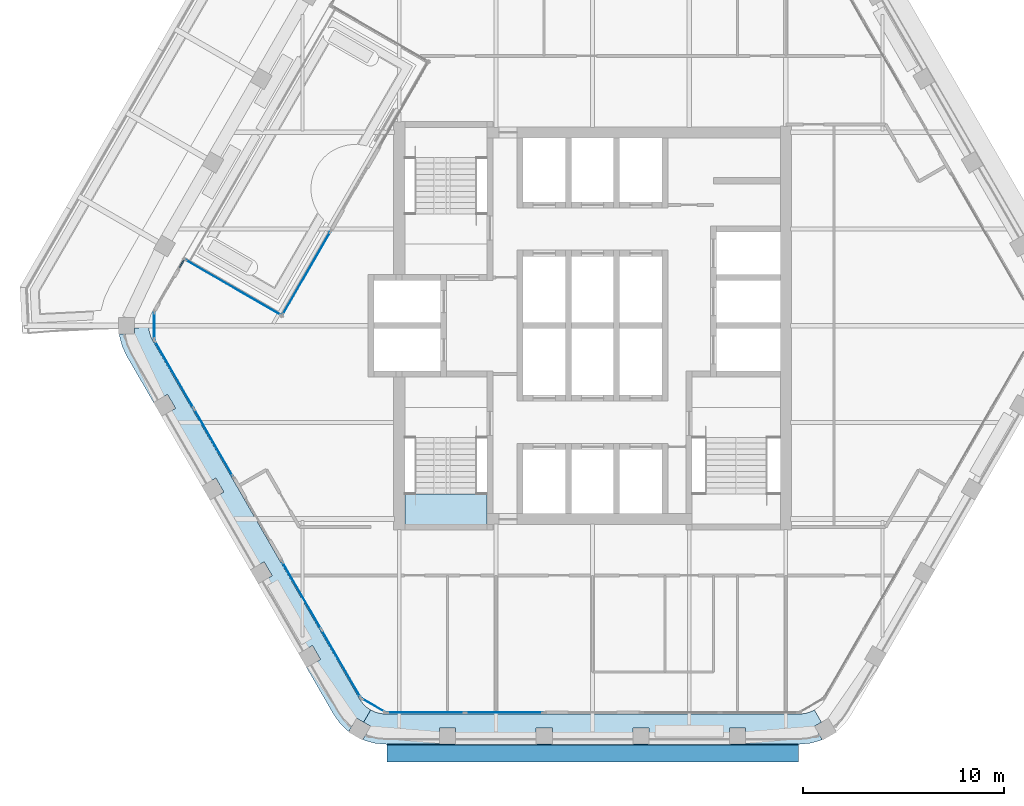
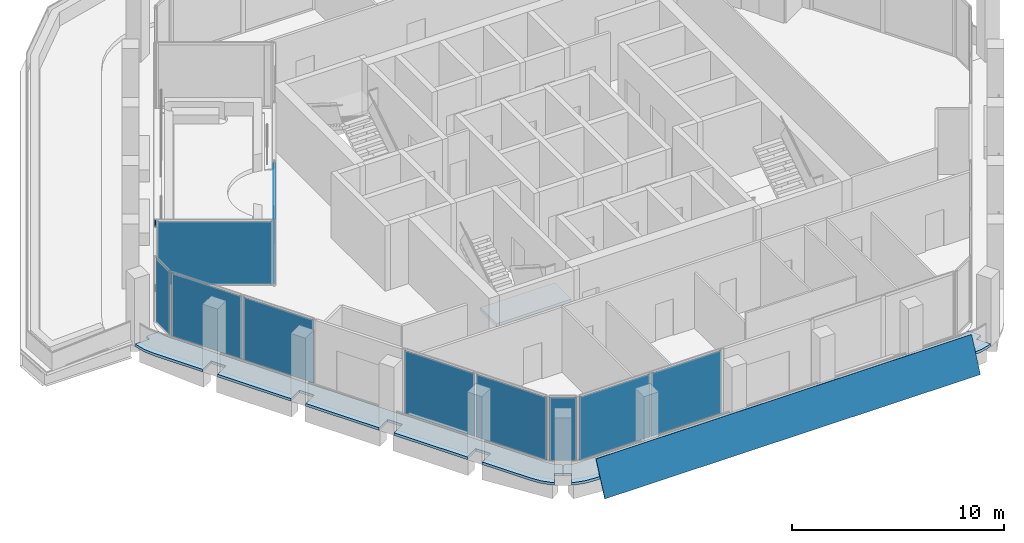
# One storey, part 7 of 16: 11 plates, 3 slabs, 2 members, 9 elements without a shape of their own.
"""IFC4 building model written with IfcOpenShell, lengths in metres."""

import ifcopenshell
import ifcopenshell.guid

model = None  # the IFC model being written
_history = None  # IfcOwnerHistory: only IFC2X3 demands one
_inside = {}  # id of a spatial element -> (the spatial element, [elements in it])
_under = {}  # id of a project, library or spatial element -> (it, [spatial elements below it])
_declared = {}  # id of a project -> (the project, [libraries it declares])
_typed = {}  # id of a type object -> (the type object, [elements of that type])
_made_of = {}  # id of a material, layer set ... -> (it, [elements and type objects made of it])


def new_model(schema):
    """Start an empty IFC model of exactly this schema.

    Asked for "IFC4X3", IfcOpenShell would pick the latest addendum, in which some entities
    have other attributes; the version numbers below select the first issue.
    IFC2X3 requires an IfcOwnerHistory on every rooted entity: one is made here for all.
    """
    global model, _history
    if schema == "IFC4X3":
        model = ifcopenshell.file(schema_version=(4, 3, 0, 0))
    else:
        model = ifcopenshell.file(schema=schema)
    _inside.clear()
    _under.clear()
    _declared.clear()
    _typed.clear()
    _made_of.clear()
    _history = None
    if model.schema == "IFC2X3":
        org = make("IfcOrganization", Name="unknown")
        user = make(
            "IfcPersonAndOrganization",
            ThePerson=make("IfcPerson", FamilyName="unknown"),
            TheOrganization=org,
        )
        app = make(
            "IfcApplication",
            ApplicationDeveloper=org,
            Version="unknown",
            ApplicationFullName="unknown",
            ApplicationIdentifier="unknown",
        )
        _history = make(
            "IfcOwnerHistory",
            OwningUser=user,
            OwningApplication=app,
            ChangeAction="ADDED",
            CreationDate=0,
        )
    return model


def make(cls, **values):
    """One entity of the class cls with the attributes given. An attribute that is None is left unset."""
    return model.create_entity(
        cls, **{name: value for name, value in values.items() if value is not None}
    )


def rooted(cls, **values):
    """An entity with a GlobalId (a new one), such as an element, a storey or a relation."""
    return make(cls, GlobalId=ifcopenshell.guid.new(), OwnerHistory=_history, **values)


def si_unit(unit_type, name, prefix=None):
    """IfcSIUnit, for example si_unit("LENGTHUNIT", "METRE", prefix="MILLI")."""
    return make("IfcSIUnit", UnitType=unit_type, Prefix=prefix, Name=name)


def assignment(units):
    """IfcUnitAssignment: the units of a project."""
    return None if units is None else make("IfcUnitAssignment", Units=units)


def point(xyz):
    """IfcCartesianPoint."""
    return None if xyz is None else make("IfcCartesianPoint", Coordinates=xyz)


def direction(xyz):
    """IfcDirection."""
    return None if xyz is None else make("IfcDirection", DirectionRatios=xyz)


def frame(location, z_axis=None, x_axis=None):
    """IfcAxis2Placement3D, a coordinate frame: its origin and axes. An axis left out is left unset."""
    return make(
        "IfcAxis2Placement3D",
        Location=point(location),
        Axis=direction(z_axis),
        RefDirection=direction(x_axis),
    )


def frame_2d(location, x_axis=None):
    """IfcAxis2Placement2D, a coordinate frame in the plane: its origin and x axis."""
    return make(
        "IfcAxis2Placement2D", Location=point(location), RefDirection=direction(x_axis)
    )


def origin():
    """The frame at (0, 0, 0) with its axes left unset."""
    return frame((0.0, 0.0, 0.0))


def origin_2d():
    """The frame at (0, 0) in the plane with its x axis left unset."""
    return frame_2d((0.0, 0.0))


def place(relative_to, where):
    """IfcLocalPlacement: puts the frame where relative to a parent placement (None: the world)."""
    return make(
        "IfcLocalPlacement", PlacementRelTo=relative_to, RelativePlacement=where
    )


def context(
    kind, dimensions, precision=None, world=None, true_north=None, identifier=None
):
    """IfcGeometricRepresentationContext, for example the 3D "Model" context."""
    return make(
        "IfcGeometricRepresentationContext",
        ContextIdentifier=identifier,
        ContextType=kind,
        CoordinateSpaceDimension=dimensions,
        Precision=precision,
        WorldCoordinateSystem=world,
        TrueNorth=true_north,
    )


def subcontext(parent, identifier, kind, view, scale=None):
    """IfcGeometricRepresentationSubContext, for example "Body" below "Model"."""
    return make(
        "IfcGeometricRepresentationSubContext",
        ContextIdentifier=identifier,
        ContextType=kind,
        ParentContext=parent,
        TargetScale=scale,
        TargetView=view,
    )


def project(units=None, contexts=None):
    """IfcProject with its units and contexts."""
    return rooted(
        "IfcProject",
        Name="project",
        RepresentationContexts=contexts,
        UnitsInContext=assignment(units),
    )


def spatial(cls, under=None, at=None, **own):
    """A site, building, storey or space (cls), placed at a placement, below another one or the project."""
    s = rooted(cls, ObjectPlacement=at, **own)
    if under is not None:
        _under.setdefault(under.id(), (under, []))[1].append(s)
    return s


def polyline(points):
    """IfcPolyline through the points."""
    return make("IfcPolyline", Points=[point(p) for p in points])


def profile(cls, at=None, kind="AREA", **sizes):
    """A parametric profile (cls). Its sizes go by their IFC names, for example OverallWidth=200.0."""
    return make(cls, ProfileType=kind, Position=at, **sizes)


def rectangle(**sizes):
    """IfcRectangleProfileDef."""
    return profile("IfcRectangleProfileDef", **sizes)


def outline(outer, holes=None, kind="AREA"):
    """IfcArbitraryClosedProfileDef: a profile drawn as a closed curve; with holes, ...WithVoids."""
    if holes is None:
        return make("IfcArbitraryClosedProfileDef", ProfileType=kind, OuterCurve=outer)
    return make(
        "IfcArbitraryProfileDefWithVoids",
        ProfileType=kind,
        OuterCurve=outer,
        InnerCurves=holes,
    )


def extrude(swept, where, along, depth):
    """IfcExtrudedAreaSolid: the profile swept, set in the frame where, extruded along a direction by depth."""
    return make(
        "IfcExtrudedAreaSolid",
        SweptArea=swept,
        Position=where,
        ExtrudedDirection=direction(along),
        Depth=depth,
    )


def shape(context_of_items, identifier, shape_type, items):
    """IfcShapeRepresentation: the items that make up one representation, for example the "Body"."""
    return make(
        "IfcShapeRepresentation",
        ContextOfItems=context_of_items,
        RepresentationIdentifier=identifier,
        RepresentationType=shape_type,
        Items=items,
    )


def material(Name=None, Category=None):
    """IfcMaterial."""
    return make("IfcMaterial", Name=Name, Category=Category)


def layer(
    of_material, thickness, ventilated=None, Name=None, Category=None, Priority=None
):
    """IfcMaterialLayer: one layer of a wall or slab, of a material (None: an air gap)."""
    return make(
        "IfcMaterialLayer",
        Material=of_material,
        LayerThickness=thickness,
        IsVentilated=ventilated,
        Name=Name,
        Category=Category,
        Priority=Priority,
    )


def layer_set(layers, Name=None):
    """IfcMaterialLayerSet."""
    return make("IfcMaterialLayerSet", MaterialLayers=layers, LayerSetName=Name)


def material_profile(
    of_material, cross_section, Name=None, Category=None, Priority=None
):
    """IfcMaterialProfile: a cross section and its material."""
    return make(
        "IfcMaterialProfile",
        Name=Name,
        Material=of_material,
        Profile=cross_section,
        Priority=Priority,
        Category=Category,
    )


def profile_set(profiles, Name=None, composite=None):
    """IfcMaterialProfileSet."""
    return make(
        "IfcMaterialProfileSet",
        Name=Name,
        MaterialProfiles=profiles,
        CompositeProfile=composite,
    )


def made_of(thing, what):
    """Note that an element or type object is made of a material, layer set ...; save() writes the relation."""
    if what is not None:
        _made_of.setdefault(what.id(), (what, []))[1].append(thing)
    return thing


def type_object(cls, material=None, **own):
    """A type object (cls), such as IfcWallType, which elements share."""
    return made_of(rooted(cls, **own), material)


def element(
    cls,
    number,
    at=None,
    inside=None,
    cuts=None,
    type_object=None,
    material=None,
    context=None,
    identifier="Body",
    shape_type=None,
    held_by="IfcProductDefinitionShape",
    body=None,
    shapes=None,
    **own,
):
    """One element of the class cls, such as IfcWall. Its Tag is "e" and its number.

    at: its placement. inside: the storey or other place that contains it. cuts: it is an
    opening in that element (IfcRelVoidsElement). A single representation is given by context,
    identifier, shape_type and body (its items); several are given by shapes. held_by: the class
    of the entity that holds the representations. save() writes the other relations.
    """
    e = rooted(cls, Tag="e%d" % number, ObjectPlacement=at, **own)
    if body is not None:
        shapes = [shape(context, identifier, shape_type, body)]
    if shapes is not None:
        e.Representation = make(held_by, Representations=shapes)
    if inside is not None:
        _inside.setdefault(inside.id(), (inside, []))[1].append(e)
    if cuts is not None:
        rooted(
            "IfcRelVoidsElement", RelatingBuildingElement=cuts, RelatedOpeningElement=e
        )
    if type_object is not None:
        _typed.setdefault(type_object.id(), (type_object, []))[1].append(e)
    return made_of(e, material)


def aggregate(whole, parts):
    """IfcRelAggregates: a whole, such as a stair, and the parts it consists of."""
    return rooted("IfcRelAggregates", RelatingObject=whole, RelatedObjects=parts)


def save(model, path):
    """Write the relations noted so far, then the file.

    IfcRelAggregates (storeys below a building ...), IfcRelContainedInSpatialStructure (elements
    in a storey), IfcRelDefinesByType, IfcRelAssociatesMaterial and IfcRelDeclares: one each for
    every whole, place, type object, material and project.
    """
    for whole, parts in _under.values():
        aggregate(whole, parts)
    for where, things in _inside.values():
        rooted(
            "IfcRelContainedInSpatialStructure",
            RelatedElements=things,
            RelatingStructure=where,
        )
    for kind, things in _typed.values():
        rooted("IfcRelDefinesByType", RelatedObjects=things, RelatingType=kind)
    for what, things in _made_of.values():
        rooted("IfcRelAssociatesMaterial", RelatedObjects=things, RelatingMaterial=what)
    for by, libraries in _declared.values():
        rooted("IfcRelDeclares", RelatingContext=by, RelatedDefinitions=libraries)
    model.write(path)


model = new_model("IFC4")

# Units and contexts
model_context = context("Model", 3, precision=1e-05, world=origin(), true_north=direction((0.0, 1.0)))
body_context = subcontext(model_context, "Body", "Model", "MODEL_VIEW")
ifc_project = project(units=[si_unit("LENGTHUNIT", "METRE"), si_unit("AREAUNIT", "SQUARE_METRE"), si_unit("VOLUMEUNIT", "CUBIC_METRE"), si_unit("PLANEANGLEUNIT", "RADIAN"), si_unit("MASSUNIT", "GRAM", prefix="KILO")], contexts=[model_context])

# Site, building, storey
site_placement = place(None, origin())
site = spatial("IfcSite", under=ifc_project, at=site_placement, CompositionType="ELEMENT")
building_placement = place(site_placement, origin())
building = spatial("IfcBuilding", under=site, at=building_placement, Name="Kolab Exchange Tower", CompositionType="ELEMENT")
storey_placement = place(building_placement, frame((0.0, 0.0, 254.0)))
storey = spatial("IfcBuildingStorey", under=building, at=storey_placement, Name="L56", CompositionType="ELEMENT", Elevation=254.0)

# Curtain wall, members
ifc_material_1 = material(Name="Aluminium EN AW-6063 T6", Category="aluminium")
curtain_wall_type = type_object("IfcCurtainWallType", Name="UNITISED HIGH ZONE CURTAIN WALL", PredefinedType="NOTDEFINED", material=ifc_material_1)
curtain_wall_1_placement = place(storey_placement, origin())
curtain_wall_1 = element("IfcCurtainWall", 1, at=curtain_wall_1_placement, inside=storey, type_object=curtain_wall_type, Name="cw/L56/F6-l-1", PredefinedType="NOTDEFINED")
ifc_material_profile = material_profile(ifc_material_1, rectangle(XDim=0.06005859375, YDim=0.159912109375, at=origin_2d()), Name="RECT 60X160")
ifc_profile_set = profile_set([ifc_material_profile], Name="Aluminium EN AW-6063 T6")
member_type = type_object("IfcMemberType", Name="UNITISED HIGH ZONE TRANSOM 60 X 160", PredefinedType="USERDEFINED", material=ifc_profile_set)
member_1_placement = place(storey_placement, frame((-20.505615234375, 2.892333984375, 0.030029296875), z_axis=(0.499808815652, 0.866135755986, 0.0), x_axis=(-0.866135755986, 0.499808815652, 0.0)))
member_1 = element("IfcMember", 2, at=member_1_placement, type_object=member_type, Name="CW4 transom 1.1", ObjectType="TRANSOM", PredefinedType="USERDEFINED", context=body_context, shape_type="SweptSolid", body=[
    extrude(rectangle(XDim=0.06005859375, YDim=0.159912109375, at=origin_2d()), origin(), (0.0, 0.0, 1.0), 0.407958984375),
])
member_2_placement = place(storey_placement, frame((-20.505615234375, 2.892333984375, 3.719970703125), z_axis=(0.499808815652, 0.866135755986, 0.0), x_axis=(-0.866135755986, 0.499808815652, 0.0)))
member_2 = element("IfcMember", 3, at=member_2_placement, type_object=member_type, Name="CW4 transom 1.2", ObjectType="TRANSOM", PredefinedType="USERDEFINED", context=body_context, shape_type="SweptSolid", body=[
    extrude(rectangle(XDim=0.06005859375, YDim=0.159912109375, at=origin_2d()), origin(), (0.0, 0.0, 1.0), 0.407958984375),
])
aggregate(curtain_wall_1, [member_1, member_2])

# Slabs
ifc_material_2 = material(Name="Concrete C35/45", Category="concrete")
ifc_layer_1 = layer(ifc_material_2, 0.14990234375)
ifc_layer_set_1 = layer_set([ifc_layer_1], Name="Concrete C35/45")
slab_type_1 = type_object("IfcSlabType", Name="LOGGIA SLAB 150", PredefinedType="FLOOR", material=ifc_layer_set_1)
slab_1_placement = place(storey_placement, frame((0.0, 0.0, -0.14990234375)))
element("IfcSlab", 4, at=slab_1_placement, inside=storey, type_object=slab_type_1, Name="slab/L56/loggia/3-0", PredefinedType="FLOOR", context=body_context, shape_type="SweptSolid", body=[
    extrude(outline(polyline([(-10.781005859375, -19.194091796875), (-11.01806640625, -19.083740234375), (-11.367919921875, -19.68994140625), (-11.021484375, -19.889892578125), (-11.404052734375, -20.552490234375), (-11.2939453125, -20.603759765625), (-10.788818359375, -20.739013671875), (-10.26806640625, -20.78466796875), (-7.60009765625, -20.78466796875), (-7.60009765625, -19.984619140625), (-6.800048828125, -19.984619140625), (-6.800048828125, -20.78466796875), (-2.800048828125, -20.78466796875), (-2.800048828125, -19.984619140625), (-2.0, -19.984619140625), (-2.0, -20.78466796875), (2.0, -20.78466796875), (2.0, -19.984619140625), (2.800048828125, -19.984619140625), (2.800048828125, -20.78466796875), (6.800048828125, -20.78466796875), (6.800048828125, -19.984619140625), (7.60009765625, -19.984619140625), (7.60009765625, -20.78466796875), (10.26806640625, -20.78466796875), (10.788818359375, -20.739013671875), (11.2939453125, -20.603759765625), (11.404052734375, -20.552490234375), (11.021484375, -19.889892578125), (11.367919921875, -19.68994140625), (11.01806640625, -19.083740234375), (10.781005859375, -19.194091796875), (10.5283203125, -19.26171875), (10.26806640625, -19.28466796875), (-10.26806640625, -19.28466796875), (-10.5283203125, -19.26171875), (-10.781005859375, -19.194091796875)])), origin(), (0.0, 0.0, 1.0), 0.14990234375),
])
slab_2_placement = place(storey_placement, frame((0.0, 0.0, -0.14990234375)))
element("IfcSlab", 5, at=slab_2_placement, inside=storey, type_object=slab_type_1, Name="slab/L56/loggia/4-0", PredefinedType="FLOOR", context=body_context, shape_type="SweptSolid", body=[
    extrude(outline(polyline([(-22.01318359375, -0.260498046875), (-22.029296875, -0.07568359375), (-22.73583984375, -0.111083984375), (-22.73583984375, -0.39990234375), (-23.5009765625, -0.39990234375), (-23.490234375, -0.52099609375), (-23.35498046875, -1.026123046875), (-23.134033203125, -1.5), (-21.800048828125, -3.810546875), (-21.107177734375, -3.410400390625), (-20.707275390625, -4.103271484375), (-21.39990234375, -4.50341796875), (-19.39990234375, -7.967529296875), (-18.707275390625, -7.5673828125), (-18.30712890625, -8.26025390625), (-19.0, -8.66015625), (-17.0, -12.124267578125), (-16.30712890625, -11.724365234375), (-15.9072265625, -12.417236328125), (-16.60009765625, -12.817138671875), (-14.60009765625, -16.28125), (-13.9072265625, -15.88134765625), (-13.507080078125, -16.57421875), (-14.199951171875, -16.97412109375), (-12.865966796875, -19.28466796875), (-12.566162109375, -19.712890625), (-12.1962890625, -20.082763671875), (-12.096923828125, -20.15234375), (-11.71435546875, -19.48974609375), (-11.367919921875, -19.68994140625), (-11.01806640625, -19.083740234375), (-11.232177734375, -18.93359375), (-11.4169921875, -18.748779296875), (-11.56689453125, -18.53466796875), (-21.8349609375, -0.75), (-21.945556640625, -0.512939453125), (-22.01318359375, -0.260498046875)])), origin(), (0.0, 0.0, 1.0), 0.14990234375),
])

# Plate
ifc_material_3 = material(Name="Laminated glass, clear", Category="glass")
ifc_layer_2 = layer(ifc_material_3, 0.0400390625)
ifc_layer_set_2 = layer_set([ifc_layer_2], Name="Laminated glass, clear")
plate_type_1 = type_object("IfcPlateType", Name="OUTER SKIN LAMINATED GLASS SHEET 40", PredefinedType="SHEET", material=ifc_layer_set_2)
plate_1_placement = place(storey_placement, frame((10.218017578125, -21.66015625, -0.68310546875), z_axis=(0.0, -0.906311853188, 0.422609541742), x_axis=(-1.0, 0.0, 0.0)))
element("IfcPlate", 6, at=plate_1_placement, inside=storey, type_object=plate_type_1, Name="Outer skin", PredefinedType="SHEET", context=body_context, shape_type="SweptSolid", body=[
    extrude(outline(polyline([(0.0, 0.0), (20.43603515625, 0.0), (20.43603515625, -1.9861252192534886), (0.0, -1.9861252192534886), (0.0, 0.0)])), origin(), (0.0, 0.0, -1.0), 0.0400390625),
])

# Stair, slab
ifc_material_4 = material(Name="Concrete C50/60", Category="concrete")
stair_type = type_object("IfcStairType", Name="STAIR ST3 RISER 177.3", PredefinedType="HALF_TURN_STAIR", material=ifc_material_4)
stair_placement = place(storey_placement, origin())
stair = element("IfcStair", 7, at=stair_placement, inside=storey, type_object=stair_type, Name="Stair 3", PredefinedType="HALF_TURN_STAIR")
ifc_layer_3 = layer(ifc_material_4, 0.199951171875)
ifc_layer_set_3 = layer_set([ifc_layer_3], Name="Concrete C50/60")
slab_type_2 = type_object("IfcSlabType", Name="STAIR LANDING 200", PredefinedType="LANDING", material=ifc_layer_set_3)
slab_3_placement = place(storey_placement, frame((0.0, 0.0, 1.75)))
slab_3 = element("IfcSlab", 8, at=slab_3_placement, type_object=slab_type_2, Name="ST3 landing 2", PredefinedType="LANDING", context=body_context, shape_type="SweptSolid", body=[
    extrude(outline(polyline([(-9.324951171875, -9.909912109375), (-5.25, -9.909912109375), (-5.25, -8.35009765625), (-9.324951171875, -8.35009765625), (-9.324951171875, -9.909912109375)])), origin(), (0.0, 0.0, 1.0), 0.199951171875),
])
aggregate(stair, [slab_3])

# Curtain wall, plates
curtain_wall_2_placement = place(storey_placement, origin())
curtain_wall_2 = element("IfcCurtainWall", 9, at=curtain_wall_2_placement, inside=storey, type_object=curtain_wall_type, Name="cw/L56/F4-2", PredefinedType="NOTDEFINED")
ifc_material_5 = material(Name="Clear insulated glazing unit", Category="glass")
ifc_layer_4 = layer(ifc_material_5, 0.030029296875)
ifc_layer_set_4 = layer_set([ifc_layer_4], Name="Clear insulated glazing unit")
plate_type_2 = type_object("IfcPlateType", Name="UNITISED HIGH ZONE GLASS PANEL 30", PredefinedType="CURTAIN_PANEL", material=ifc_layer_set_4)
plate_2_placement = place(storey_placement, frame((-4.382080078125, -19.20458984375, 0.06005859375), z_axis=(0.0, 0.0, 1.0), x_axis=(-1.0, 0.0, 0.0)))
plate_2 = element("IfcPlate", 10, at=plate_2_placement, type_object=plate_type_2, Name="CW4 panel 1.1", PredefinedType="CURTAIN_PANEL", context=body_context, shape_type="SweptSolid", body=[
    extrude(rectangle(XDim=3.843994140625, YDim=0.030029296875, at=origin_2d()), origin(), (0.0, 0.0, 1.0), 3.6298828125),
])
plate_3_placement = place(storey_placement, frame((-8.285888671875, -19.20458984375, 0.06005859375), z_axis=(0.0, 0.0, 1.0), x_axis=(-1.0, 0.0, 0.0)))
plate_3 = element("IfcPlate", 11, at=plate_3_placement, type_object=plate_type_2, Name="CW4 panel 2.1", PredefinedType="CURTAIN_PANEL", context=body_context, shape_type="SweptSolid", body=[
    extrude(rectangle(XDim=3.843994140625, YDim=0.030029296875, at=origin_2d()), origin(), (0.0, 0.0, 1.0), 3.6298828125),
])
aggregate(curtain_wall_2, [plate_2, plate_3])

curtain_wall_3_placement = place(storey_placement, origin())
curtain_wall_3 = element("IfcCurtainWall", 12, at=curtain_wall_3_placement, inside=storey, type_object=curtain_wall_type, Name="cw/L56/F5-1", PredefinedType="NOTDEFINED")
plate_4_placement = place(storey_placement, frame((-12.48876953125, -16.778076171875, 0.06005859375), z_axis=(0.0, 0.0, 1.0), x_axis=(-0.500000031681, 0.866025385493, 0.0)))
plate_4 = element("IfcPlate", 13, at=plate_4_placement, type_object=plate_type_2, Name="CW4 panel 1.1", PredefinedType="CURTAIN_PANEL", context=body_context, shape_type="SweptSolid", body=[
    extrude(rectangle(XDim=3.843994140625, YDim=0.030029296875, at=origin_2d()), origin(), (0.0, 0.0, 1.0), 3.6298828125),
])
plate_5_placement = place(storey_placement, frame((-14.440673828125, -13.397216796875, 0.06005859375), z_axis=(0.0, 0.0, 1.0), x_axis=(-0.500000031681, 0.866025385493, 0.0)))
plate_5 = element("IfcPlate", 14, at=plate_5_placement, type_object=plate_type_2, Name="CW4 panel 2.1", PredefinedType="CURTAIN_PANEL", context=body_context, shape_type="SweptSolid", body=[
    extrude(rectangle(XDim=3.843994140625, YDim=0.030029296875, at=origin_2d()), origin(), (0.0, 0.0, 1.0), 3.6298828125),
])
aggregate(curtain_wall_3, [plate_4, plate_5])

curtain_wall_4_placement = place(storey_placement, origin())
curtain_wall_4 = element("IfcCurtainWall", 15, at=curtain_wall_4_placement, inside=storey, type_object=curtain_wall_type, Name="cw/L56/F5-2", PredefinedType="NOTDEFINED")
plate_6_placement = place(storey_placement, frame((-18.82275390625, -5.807373046875, 0.06005859375), z_axis=(0.0, 0.0, 1.0), x_axis=(-0.499999936366, 0.866025440524, 0.0)))
plate_6 = element("IfcPlate", 16, at=plate_6_placement, type_object=plate_type_2, Name="CW4 panel 1.1", PredefinedType="CURTAIN_PANEL", context=body_context, shape_type="SweptSolid", body=[
    extrude(rectangle(XDim=3.843994140625, YDim=0.030029296875, at=origin_2d()), origin(), (0.0, 0.0, 1.0), 3.6298828125),
])
plate_7_placement = place(storey_placement, frame((-20.774658203125, -2.426513671875, 0.06005859375), z_axis=(0.0, 0.0, 1.0), x_axis=(-0.499999936366, 0.866025440524, 0.0)))
plate_7 = element("IfcPlate", 17, at=plate_7_placement, type_object=plate_type_2, Name="CW4 panel 2.1", PredefinedType="CURTAIN_PANEL", context=body_context, shape_type="SweptSolid", body=[
    extrude(rectangle(XDim=3.843994140625, YDim=0.030029296875, at=origin_2d()), origin(), (0.0, 0.0, 1.0), 3.6298828125),
])
aggregate(curtain_wall_4, [plate_6, plate_7])

# Curtain wall, plate
curtain_wall_5_placement = place(storey_placement, origin())
curtain_wall_5 = element("IfcCurtainWall", 18, at=curtain_wall_5_placement, inside=storey, type_object=curtain_wall_type, Name="cw/L56/F6-rl-1", PredefinedType="NOTDEFINED")
plate_8_placement = place(storey_placement, frame((-17.846923828125, 1.897705078125, 0.06005859375), z_axis=(0.0, 0.0, 1.0), x_axis=(0.866025392126, -0.500000020194, 0.0)))
plate_8 = element("IfcPlate", 19, at=plate_8_placement, type_object=plate_type_2, Name="CW4 panel 1.1", PredefinedType="CURTAIN_PANEL", context=body_context, shape_type="SweptSolid", body=[
    extrude(rectangle(XDim=5.47998046875, YDim=0.030029296875, at=origin_2d()), origin(), (0.0, 0.0, 1.0), 3.6298828125),
])
aggregate(curtain_wall_5, [plate_8])

curtain_wall_6_placement = place(storey_placement, origin())
curtain_wall_6 = element("IfcCurtainWall", 20, at=curtain_wall_6_placement, inside=storey, type_object=curtain_wall_type, Name="cw/L56/F6-back-1", PredefinedType="NOTDEFINED")
plate_9_placement = place(storey_placement, frame((-14.20849609375, 2.59912109375, 0.06005859375), z_axis=(0.0, 0.0, 1.0), x_axis=(0.500000047915, 0.866025376121, 0.0)))
plate_9 = element("IfcPlate", 21, at=plate_9_placement, type_object=plate_type_2, Name="CW4 panel 1.1", PredefinedType="CURTAIN_PANEL", context=body_context, shape_type="SweptSolid", body=[
    extrude(rectangle(XDim=4.7333984375, YDim=0.030029296875, at=origin_2d()), origin(), (0.0, 0.0, 1.0), 3.6298828125),
])
aggregate(curtain_wall_6, [plate_9])

curtain_wall_7_placement = place(storey_placement, origin())
curtain_wall_7 = element("IfcCurtainWall", 22, at=curtain_wall_7_placement, inside=storey, type_object=curtain_wall_type, Name="cw/L56/F4F5-corner", PredefinedType="NOTDEFINED")
plate_10_placement = place(storey_placement, frame((-10.8828125, -18.849609375, 0.06005859375), z_axis=(0.0, 0.0, 1.0), x_axis=(-0.866025390869, 0.50000002237, 0.0)))
plate_10 = element("IfcPlate", 23, at=plate_10_placement, type_object=plate_type_2, Name="CW4 panel 1.1", PredefinedType="CURTAIN_PANEL", context=body_context, shape_type="SweptSolid", body=[
    extrude(rectangle(XDim=1.300048828125, YDim=0.030029296875, at=origin_2d()), origin(), (0.0, 0.0, 1.0), 3.6298828125),
])
aggregate(curtain_wall_7, [plate_10])

curtain_wall_8_placement = place(storey_placement, origin())
curtain_wall_8 = element("IfcCurtainWall", 24, at=curtain_wall_8_placement, inside=storey, type_object=curtain_wall_type, Name="cw/L56/F5F6-corner", PredefinedType="NOTDEFINED")
plate_11_placement = place(storey_placement, frame((-21.765625, 0.0, 0.06005859375), z_axis=(0.0, 0.0, 1.0), x_axis=(0.0, 1.0, 0.0)))
plate_11 = element("IfcPlate", 25, at=plate_11_placement, type_object=plate_type_2, Name="CW4 panel 1.1", PredefinedType="CURTAIN_PANEL", context=body_context, shape_type="SweptSolid", body=[
    extrude(rectangle(XDim=1.300048828125, YDim=0.030029296875, at=origin_2d()), origin(), (0.0, 0.0, 1.0), 3.6298828125),
])
aggregate(curtain_wall_8, [plate_11])

save(model, "model.ifc")
